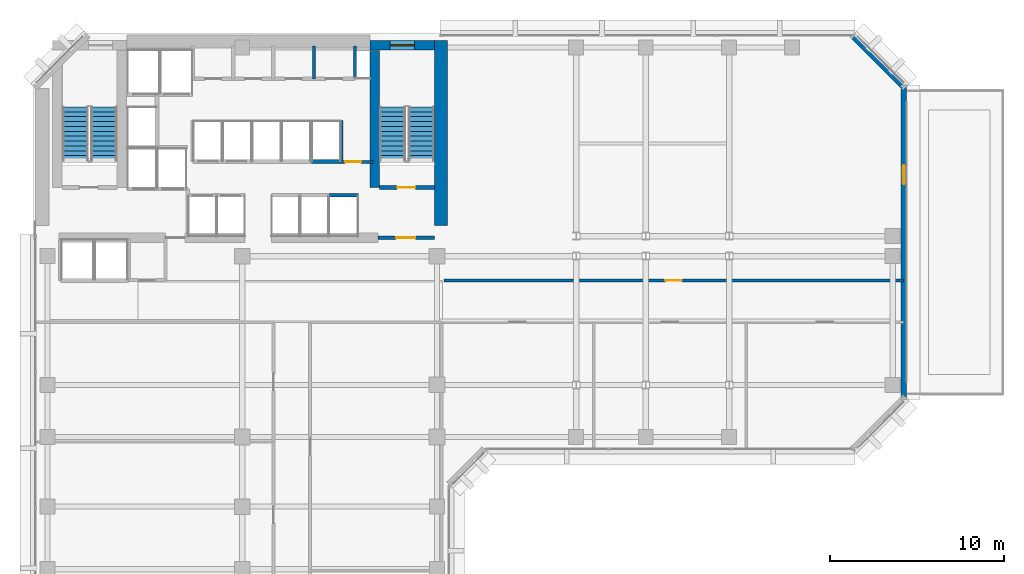
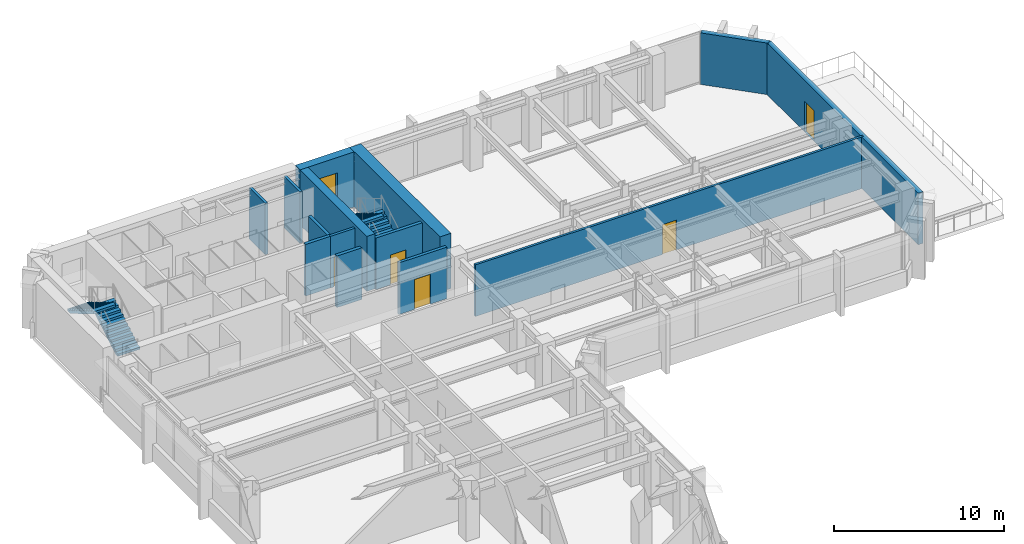
# One storey, part 8 of 12: 14 walls, 5 doors, 4 stair flights, 1 window, 6 openings, 2 elements without a shape of their own.
"""IFC4 building model written with IfcOpenShell, lengths in metres."""

from ifc_helpers import new_model, si_unit, direction, frame, frame_2d, origin, place, context, subcontext, project, spatial, polyline, rectangle, outline, extrude, material, layer, layer_set, type_object, element, fill, aggregate, save


model = new_model("IFC4")

# Units and contexts
model_context = context("Model", 3, precision=1e-05, world=origin(), true_north=direction((0.0, 1.0)))
body_context = subcontext(model_context, "Body", "Model", "MODEL_VIEW")
ifc_project = project(units=[si_unit("LENGTHUNIT", "METRE"), si_unit("AREAUNIT", "SQUARE_METRE"), si_unit("VOLUMEUNIT", "CUBIC_METRE"), si_unit("PLANEANGLEUNIT", "RADIAN"), si_unit("MASSUNIT", "GRAM", prefix="KILO")], contexts=[model_context])

# Site, building, storey
site_placement = place(None, origin())
site = spatial("IfcSite", under=ifc_project, at=site_placement, CompositionType="ELEMENT")
building_placement = place(site_placement, origin())
building = spatial("IfcBuilding", under=site, at=building_placement, Name="Kefirva Bronze Tower", CompositionType="ELEMENT")
storey_placement = place(building_placement, frame((0.0, 0.0, 110.550048828125)))
storey = spatial("IfcBuildingStorey", under=building, at=storey_placement, Name="L26", CompositionType="ELEMENT", Elevation=110.550048828125)

# Wall, opening, door
ifc_material_1 = material(Name="Gypsum fireboard shaftwall")
ifc_layer_1 = layer(ifc_material_1, 0.219970703125, Name="Gypsum fireboard shaftwall")
ifc_layer_set_1 = layer_set([ifc_layer_1], Name="Gypsum fireboard shaftwall")
wall_type_1 = type_object("IfcWallType", Name="Fire-Rated Shaft Enclosure Wall 220mm", PredefinedType="PARTITIONING", material=ifc_layer_set_1)
wall_1_placement = place(storey_placement, frame((19.89990234375, 37.14990234375, 0.0), z_axis=(0.0, 0.0, 1.0), x_axis=(1.0, 0.0, 0.0)))
wall_1 = element("IfcWall", 1, at=wall_1_placement, inside=storey, type_object=wall_type_1, Name="L26 Partition W-L26-ST2S", PredefinedType="PARTITIONING", context=body_context, shape_type="SweptSolid", body=[
    extrude(rectangle(XDim=3.150146484375, YDim=0.219970703125, at=frame_2d((1.5751953125, 0.0))), origin(), (0.0, 0.0, 1.0), 3.7099609375),
])
opening_1_placement = place(wall_1_placement, frame((2.050048828125, 0.0, 0.0), z_axis=(0.0, 0.0, 1.0), x_axis=(-1.0, 0.0, 0.0)))
opening_1 = element("IfcOpeningElement", 2, at=opening_1_placement, cuts=wall_1, Name="Opening L26-D003", PredefinedType="OPENING", context=body_context, shape_type="SweptSolid", body=[
    extrude(rectangle(XDim=1.050048828125, YDim=2.14990234375, at=frame_2d((0.52490234375, 1.074951171875))), frame((0.0, 0.1201171875, 0.0), z_axis=(0.0, -1.0, 0.0), x_axis=(1.0, 0.0, 0.0)), (0.0, 0.0, 1.0), 0.239990234375),
])
ifc_material_2 = material(Name="Painted galvanized steel", Category="steel")
door_type_1 = type_object("IfcDoorType", Name="Fire Stair Enclosure Door 1050x2150 FD90S", OperationType="NOTDEFINED", PredefinedType="DOOR", material=ifc_material_2)
door_1_placement = place(opening_1_placement, origin())
door_1 = element("IfcDoor", 3, at=door_1_placement, inside=storey, type_object=door_type_1, Name="Door L26-D003", OperationType="SINGLE_SWING_RIGHT", OverallHeight=2.14990234375, OverallWidth=1.050048828125, PredefinedType="DOOR", context=body_context, shape_type="SweptSolid", body=[
    extrude(rectangle(XDim=1.050048828125, YDim=2.14990234375, at=frame_2d((0.52490234375, 1.074951171875))), frame((0.0, 0.02490234375, 0.0), z_axis=(0.0, -1.0, 0.0), x_axis=(1.0, 0.0, 0.0)), (0.0, 0.0, 1.0), 0.050048828125),
])
fill(opening_1, door_1)

# Walls
wall_2_placement = place(storey_placement, frame((17.679931640625, 38.64990234375, 0.0), z_axis=(0.0, 0.0, 1.0), x_axis=(0.0, 1.0, 0.0)))
element("IfcWall", 4, at=wall_2_placement, inside=storey, type_object=wall_type_1, Name="L26 Partition W-L26-HP2E", PredefinedType="PARTITIONING", context=body_context, shape_type="SweptSolid", body=[
    extrude(rectangle(XDim=2.35009765625, YDim=0.199951171875, at=frame_2d((1.175048828125, 0.0))), origin(), (0.0, 0.0, 1.0), 3.7099609375),
])
wall_3_placement = place(storey_placement, frame((16.97998046875, 36.699951171875, 0.0), z_axis=(0.0, 0.0, 1.0), x_axis=(1.0, 0.0, 0.0)))
element("IfcWall", 5, at=wall_3_placement, inside=storey, type_object=wall_type_1, Name="L26 Partition W-L26-HPS", PredefinedType="PARTITIONING", context=body_context, shape_type="SweptSolid", body=[
    extrude(rectangle(XDim=1.699951171875, YDim=0.219970703125, at=frame_2d((0.85009765625, 0.0))), origin(), (0.0, 0.0, 1.0), 3.7099609375),
])
wall_4_placement = place(storey_placement, frame((15.97998046875, 38.64990234375, 0.0), z_axis=(0.0, 0.0, 1.0), x_axis=(1.0, 0.0, 0.0)))
element("IfcWall", 6, at=wall_4_placement, inside=storey, type_object=wall_type_1, Name="L26 Partition W-L26-HPN", PredefinedType="PARTITIONING", context=body_context, shape_type="SweptSolid", body=[
    extrude(rectangle(XDim=1.719970703125, YDim=0.219970703125, at=frame_2d((0.85986328125, 0.0))), origin(), (0.0, 0.0, 1.0), 3.7099609375),
])

# Wall, opening, door
ifc_material_3 = material(Name="Gypsum fireboard barrier")
ifc_layer_2 = layer(ifc_material_3, 0.199951171875, Name="Gypsum fireboard barrier")
ifc_layer_set_2 = layer_set([ifc_layer_2], Name="Gypsum fireboard barrier")
wall_type_2 = type_object("IfcWallType", Name="Firefighting Lobby Barrier Wall 200mm", PredefinedType="PARTITIONING", material=ifc_layer_set_2)
wall_5_placement = place(storey_placement, frame((19.800048828125, 34.25, 0.0), z_axis=(0.0, 0.0, 1.0), x_axis=(1.0, 0.0, 0.0)))
wall_5 = element("IfcWall", 7, at=wall_5_placement, inside=storey, type_object=wall_type_2, Name="L26 Partition W-L26-ST2F", PredefinedType="PARTITIONING", context=body_context, shape_type="SweptSolid", body=[
    extrude(rectangle(XDim=3.25, YDim=0.199951171875, at=frame_2d((1.625, 0.0))), origin(), (0.0, 0.0, 1.0), 3.7099609375),
])
opening_2_placement = place(wall_5_placement, frame((2.150146484375, 0.0, 0.0), z_axis=(0.0, 0.0, 1.0), x_axis=(-1.0, 0.0, 0.0)))
opening_2 = element("IfcOpeningElement", 8, at=opening_2_placement, cuts=wall_5, Name="Opening L26-D004", PredefinedType="OPENING", context=body_context, shape_type="SweptSolid", body=[
    extrude(rectangle(XDim=1.10009765625, YDim=2.14990234375, at=frame_2d((0.550048828125, 1.074951171875))), frame((0.0, 0.10986328125, 0.0), z_axis=(0.0, -1.0, 0.0), x_axis=(1.0, 0.0, 0.0)), (0.0, 0.0, 1.0), 0.219970703125),
])
door_type_2 = type_object("IfcDoorType", Name="Firefighting Lobby Smoke Door 1100x2150 FD60S", OperationType="NOTDEFINED", PredefinedType="DOOR", material=ifc_material_2)
door_2_placement = place(opening_2_placement, origin())
door_2 = element("IfcDoor", 9, at=door_2_placement, inside=storey, type_object=door_type_2, Name="Door L26-D004", OperationType="SINGLE_SWING_LEFT", OverallHeight=2.14990234375, OverallWidth=1.10009765625, PredefinedType="DOOR", context=body_context, shape_type="SweptSolid", body=[
    extrude(rectangle(XDim=1.10009765625, YDim=2.14990234375, at=frame_2d((0.550048828125, 1.074951171875))), frame((0.0, 0.02490234375, 0.0), z_axis=(0.0, -1.0, 0.0), x_axis=(1.0, 0.0, 0.0)), (0.0, 0.0, 1.0), 0.050048828125),
])
fill(opening_2, door_2)

wall_6_placement = place(storey_placement, frame((17.679931640625, 38.6201171875, 0.0), z_axis=(0.0, 0.0, 1.0), x_axis=(1.0, 0.0, 0.0)))
wall_6 = element("IfcWall", 10, at=wall_6_placement, inside=storey, type_object=wall_type_2, Name="L26 Partition W-L26-CPASS", PredefinedType="PARTITIONING", context=body_context, shape_type="SweptSolid", body=[
    extrude(rectangle(XDim=1.840087890625, YDim=0.179931640625, at=frame_2d((0.919921875, 0.0))), origin(), (0.0, 0.0, 1.0), 3.7099609375),
])
opening_3_placement = place(wall_6_placement, frame((0.239990234375, 0.0, 0.0)))
opening_3 = element("IfcOpeningElement", 11, at=opening_3_placement, cuts=wall_6, Name="Opening L26-D-CPAS", PredefinedType="OPENING", context=body_context, shape_type="SweptSolid", body=[
    extrude(rectangle(XDim=0.919921875, YDim=2.10009765625, at=frame_2d((0.4599609375, 1.050048828125))), frame((0.0, 0.10009765625, 0.0), z_axis=(0.0, -1.0, 0.0), x_axis=(1.0, 0.0, 0.0)), (0.0, 0.0, 1.0), 0.199951171875),
])
ifc_material_4 = material(Name="Moisture-resistant timber", Category="wood")
door_type_3 = type_object("IfcDoorType", Name="Accessible Sanitary & WC Door 920x2100", OperationType="NOTDEFINED", PredefinedType="DOOR", material=ifc_material_4)
door_3_placement = place(opening_3_placement, origin())
door_3 = element("IfcDoor", 12, at=door_3_placement, inside=storey, type_object=door_type_3, Name="Door L26-D-CPAS", OperationType="SINGLE_SWING_RIGHT", OverallHeight=2.10009765625, OverallWidth=0.919921875, PredefinedType="DOOR", context=body_context, shape_type="SweptSolid", body=[
    extrude(rectangle(XDim=0.919921875, YDim=2.10009765625, at=frame_2d((0.4599609375, 1.050048828125))), frame((0.0, 0.02490234375, 0.0), z_axis=(0.0, -1.0, 0.0), x_axis=(1.0, 0.0, 0.0)), (0.0, 0.0, 1.0), 0.050048828125),
])
fill(opening_3, door_3)

ifc_material_5 = material(Name="Precast concrete C40/50", Category="concrete")
ifc_layer_3 = layer(ifc_material_5, 0.320068359375, Name="Precast concrete C40/50")
ifc_layer_set_3 = layer_set([ifc_layer_3], Name="Precast concrete C40/50")
wall_type_3 = type_object("IfcWallType", Name="Precast Insulated Exterior Wall 320mm", PredefinedType="SOLIDWALL", material=ifc_layer_set_3)
wall_7_placement = place(storey_placement, frame((50.0400390625, 25.054931640625, 0.0), z_axis=(0.0, 0.0, 1.0), x_axis=(0.0, 1.0, 0.0)))
wall_7 = element("IfcWall", 13, at=wall_7_placement, inside=storey, type_object=wall_type_3, Name="L26 Exterior Facade Wall 4", PredefinedType="SOLIDWALL", context=body_context, shape_type="SweptSolid", body=[
    extrude(rectangle(XDim=17.89013671875, YDim=0.320068359375, at=frame_2d((8.945068359375, 0.0))), origin(), (0.0, 0.0, 1.0), 3.7099609375),
])
opening_4_placement = place(wall_7_placement, frame((13.380859375, 0.0, 0.0), z_axis=(0.0, 0.0, 1.0), x_axis=(-1.0, 0.0, 0.0)))
opening_4 = element("IfcOpeningElement", 14, at=opening_4_placement, cuts=wall_7, Name="Opening D-TR1", PredefinedType="OPENING", context=body_context, shape_type="SweptSolid", body=[
    extrude(rectangle(XDim=1.10009765625, YDim=2.199951171875, at=frame_2d((0.550048828125, 1.10009765625))), frame((0.0, 0.169921875, 0.0), z_axis=(0.0, -1.0, 0.0), x_axis=(1.0, 0.0, 0.0)), (0.0, 0.0, 1.0), 0.340087890625),
])
ifc_material_6 = material(Name="Bronze anodised aluminium", Category="aluminium")
door_type_4 = type_object("IfcDoorType", Name="Exterior Sky-Terrace Glazed Door 1100x2200", OperationType="NOTDEFINED", PredefinedType="DOOR", material=ifc_material_6)
door_4_placement = place(opening_4_placement, origin())
door_4 = element("IfcDoor", 15, at=door_4_placement, inside=storey, type_object=door_type_4, Name="L26 Sky-Garden Terrace Access Door", OperationType="SINGLE_SWING_LEFT", OverallHeight=2.199951171875, OverallWidth=1.10009765625, PredefinedType="DOOR", context=body_context, shape_type="SweptSolid", body=[
    extrude(rectangle(XDim=1.10009765625, YDim=2.199951171875, at=frame_2d((0.550048828125, 1.10009765625))), frame((0.0, 0.02490234375, 0.0), z_axis=(0.0, -1.0, 0.0), x_axis=(1.0, 0.0, 0.0)), (0.0, 0.0, 1.0), 0.050048828125),
])
fill(opening_4, door_4)

# Wall
wall_8_placement = place(storey_placement, frame((50.048095703125, 42.92578125, 0.0), z_axis=(0.0, 0.0, 1.0), x_axis=(-0.707136318428, 0.707077242712, 0.0)))
element("IfcWall", 16, at=wall_8_placement, inside=storey, type_object=wall_type_3, Name="L26 Exterior Facade Wall 5", PredefinedType="SOLIDWALL", context=body_context, shape_type="SweptSolid", body=[
    extrude(rectangle(XDim=4.132568359375, YDim=0.320068359375, at=frame_2d((2.06640625, 0.0))), origin(), (0.0, 0.0, 1.0), 3.7099609375),
])

# Wall, opening, door
ifc_material_7 = material(Name="Gypsum acoustic partition")
ifc_layer_4 = layer(ifc_material_7, 0.159912109375, Name="Gypsum acoustic partition")
ifc_layer_set_4 = layer_set([ifc_layer_4], Name="Gypsum acoustic partition")
wall_type_4 = type_object("IfcWallType", Name="Protected Corridor Partition 160mm", PredefinedType="PARTITIONING", material=ifc_layer_set_4)
wall_9_placement = place(storey_placement, frame((23.60009765625, 31.800048828125, 0.0), z_axis=(0.0, 0.0, 1.0), x_axis=(1.0, 0.0, 0.0)))
wall_9 = element("IfcWall", 17, at=wall_9_placement, inside=storey, type_object=wall_type_4, Name="L26 Partition W-L26-EWN", PredefinedType="PARTITIONING", context=body_context, shape_type="SweptSolid", body=[
    extrude(rectangle(XDim=26.409912109375, YDim=0.159912109375, at=frame_2d((13.205078125, 0.0))), origin(), (0.0, 0.0, 1.0), 3.7099609375),
])
opening_5_placement = place(wall_9_placement, frame((12.72998046875, 0.0, 0.0)))
opening_5 = element("IfcOpeningElement", 18, at=opening_5_placement, cuts=wall_9, Name="Opening L26-D-EN1", PredefinedType="OPENING", context=body_context, shape_type="SweptSolid", body=[
    extrude(rectangle(XDim=0.949951171875, YDim=2.14990234375, at=frame_2d((0.47509765625, 1.074951171875))), frame((0.0, 0.08984375, 0.0), z_axis=(0.0, -1.0, 0.0), x_axis=(1.0, 0.0, 0.0)), (0.0, 0.0, 1.0), 0.179931640625),
])
ifc_material_8 = material(Name="Acoustic hardwood oak", Category="wood")
door_type_5 = type_object("IfcDoorType", Name="Office & Meeting Room Door 950x2150", OperationType="NOTDEFINED", PredefinedType="DOOR", material=ifc_material_8)
door_5_placement = place(opening_5_placement, origin())
door_5 = element("IfcDoor", 19, at=door_5_placement, inside=storey, type_object=door_type_5, Name="Door L26-D-EN1", OperationType="SINGLE_SWING_LEFT", OverallHeight=2.14990234375, OverallWidth=0.949951171875, PredefinedType="DOOR", context=body_context, shape_type="SweptSolid", body=[
    extrude(rectangle(XDim=0.949951171875, YDim=2.14990234375, at=frame_2d((0.47509765625, 1.074951171875))), frame((0.0, 0.02490234375, 0.0), z_axis=(0.0, -1.0, 0.0), x_axis=(1.0, 0.0, 0.0)), (0.0, 0.0, 1.0), 0.050048828125),
])
fill(opening_5, door_5)

# Wall, opening, window
ifc_material_9 = material(Name="Concrete C50/60", Category="concrete")
ifc_layer_5 = layer(ifc_material_9, 0.550048828125, Name="Concrete C50/60")
ifc_layer_set_5 = layer_set([ifc_layer_5], Name="Concrete C50/60")
wall_type_5 = type_object("IfcWallType", Name="RC Rear Core Exterior Wall 550mm", PredefinedType="SHEAR", material=ifc_layer_set_5)
wall_10_placement = place(storey_placement, frame((19.35009765625, 45.320068359375, 0.0), z_axis=(0.0, 0.0, 1.0), x_axis=(1.0, 0.0, 0.0)))
wall_10 = element("IfcWall", 20, at=wall_10_placement, inside=storey, type_object=wall_type_5, Name="L26 Stair 2 North Shear Wall", PredefinedType="SHEAR", context=body_context, shape_type="SweptSolid", body=[
    extrude(rectangle(XDim=3.68994140625, YDim=0.550048828125, at=frame_2d((1.844970703125, 0.0))), origin(), (0.0, 0.0, 1.0), 3.9599609375),
])
opening_6_placement = place(wall_10_placement, frame((1.14990234375, 0.0, 1.050048828125)))
opening_6 = element("IfcOpeningElement", 21, at=opening_6_placement, cuts=wall_10, Name="Opening WN-03", PredefinedType="OPENING", context=body_context, shape_type="SweptSolid", body=[
    extrude(rectangle(XDim=1.39990234375, YDim=1.800048828125, at=frame_2d((0.699951171875, 0.89990234375))), frame((0.0, 0.28515625, 0.0), z_axis=(0.0, -1.0, 0.0), x_axis=(1.0, 0.0, 0.0)), (0.0, 0.0, 1.0), 0.570068359375),
])
ifc_material_10 = material(Name="Laminated low-E double glazing", Category="glass")
window_type = type_object("IfcWindowType", Name="Rear-Core Stair Daylight Window 1400x1800", PartitioningType="SINGLE_PANEL", PredefinedType="WINDOW", material=ifc_material_10)
window_placement = place(opening_6_placement, origin())
window = element("IfcWindow", 22, at=window_placement, inside=storey, type_object=window_type, Name="L26 Stair 2 Daylight Window", OverallHeight=1.800048828125, OverallWidth=1.39990234375, PartitioningType="SINGLE_PANEL", PredefinedType="WINDOW", context=body_context, shape_type="SweptSolid", body=[
    extrude(rectangle(XDim=1.39990234375, YDim=1.800048828125, at=frame_2d((0.699951171875, 0.89990234375))), frame((0.0, 0.030029296875, 0.0), z_axis=(0.0, -1.0, 0.0), x_axis=(1.0, 0.0, 0.0)), (0.0, 0.0, 1.0), 0.06005859375),
])
fill(opening_6, window)

# Walls
ifc_layer_6 = layer(ifc_material_9, 0.550048828125, Name="Concrete C50/60")
ifc_layer_set_6 = layer_set([ifc_layer_6], Name="Concrete C50/60")
wall_type_6 = type_object("IfcWallType", Name="RC Rear Core Interior Wall 550mm", PredefinedType="SHEAR", material=ifc_layer_set_6)
wall_11_placement = place(storey_placement, frame((19.6201171875, 37.14990234375, 0.0), z_axis=(0.0, 0.0, 1.0), x_axis=(0.0, 1.0, 0.0)))
element("IfcWall", 23, at=wall_11_placement, inside=storey, type_object=wall_type_6, Name="L26 Stair 2 West Shear Wall", PredefinedType="SHEAR", context=body_context, shape_type="SweptSolid", body=[
    extrude(rectangle(XDim=7.89013671875, YDim=0.550048828125, at=frame_2d((3.945068359375, 0.0))), origin(), (0.0, 0.0, 1.0), 3.9599609375),
])
ifc_material_11 = material(Name="Concrete C60/75", Category="concrete")
ifc_layer_7 = layer(ifc_material_11, 0.75, Name="Concrete C60/75")
ifc_layer_set_7 = layer_set([ifc_layer_7], Name="Concrete C60/75")
wall_type_7 = type_object("IfcWallType", Name="RC Rear Core Interior Wall 750mm", PredefinedType="SHEAR", material=ifc_layer_set_7)
wall_12_placement = place(storey_placement, frame((23.425048828125, 34.949951171875, 0.0), z_axis=(0.0, 0.0, 1.0), x_axis=(0.0, 1.0, 0.0)))
element("IfcWall", 24, at=wall_12_placement, inside=storey, type_object=wall_type_7, Name="L26 Rear Core East Shear Wall", PredefinedType="SHEAR", context=body_context, shape_type="SweptSolid", body=[
    extrude(rectangle(XDim=10.64013671875, YDim=0.75, at=frame_2d((5.320068359375, 0.0))), origin(), (0.0, 0.0, 1.0), 3.9599609375),
])
ifc_material_12 = material(Name="Moisture-resistant partition")
ifc_layer_8 = layer(ifc_material_12, 0.179931640625, Name="Moisture-resistant partition")
ifc_layer_set_8 = layer_set([ifc_layer_8], Name="Moisture-resistant partition")
wall_type_8 = type_object("IfcWallType", Name="Sanitary Plumbing Chase Wall 180mm", PredefinedType="PLUMBINGWALL", material=ifc_layer_set_8)
for number, where, z_axis, x_axis, name in (
    (25, (18.47998046875, 43.39990234375, 0.0), (0.0, 0.0, 1.0), (0.0, 1.0, 0.0), "L26 Partition W-L26-SVCE"),
    (26, (16.1201171875, 43.39990234375, 0.0), (0.0, 0.0, 1.0), (0.0, 1.0, 0.0), "L26 Partition W-L26-CSVD-3"),
):
    element("IfcWall", number, at=place(storey_placement, frame(where, z_axis=z_axis, x_axis=x_axis)), inside=storey, type_object=wall_type_8, Name=name, PredefinedType="PLUMBINGWALL", context=body_context, shape_type="SweptSolid", body=[
        extrude(rectangle(XDim=1.880126953125, YDim=0.179931640625, at=frame_2d((0.93994140625, 0.0))), origin(), (0.0, 0.0, 1.0), 3.7099609375),
    ])

# Stair, stair flights
ifc_material_13 = material(Name="Concrete C40/50", Category="concrete")
stair_type = type_object("IfcStairType", Name="RC Dogleg Protected Stair 24R", PredefinedType="HALF_TURN_STAIR", material=ifc_material_13)
stair_1_placement = place(storey_placement, origin())
stair_1 = element("IfcStair", 27, at=stair_1_placement, inside=storey, type_object=stair_type, Name="L26 Protected Exit Stair 1", PredefinedType="HALF_TURN_STAIR")
stair_flight_type = type_object("IfcStairFlightType", Name="RC Straight Stair Flight 24R", PredefinedType="STRAIGHT", material=ifc_material_13)
stair_flight_1_placement = place(storey_placement, frame((4.050048828125, 38.699951171875, 0.0), z_axis=(0.0, 0.0, 1.0), x_axis=(0.0, 1.0, 0.0)))
stair_flight_1 = element("IfcStairFlight", 28, at=stair_flight_1_placement, type_object=stair_flight_type, Name="ST-1 flight 1", NumberOfRisers=12, NumberOfTreads=11, PredefinedType="STRAIGHT", RiserHeight=0.165, TreadLength=0.28, context=body_context, shape_type="SweptSolid", body=[
    extrude(outline(polyline([(0.0, 0.0), (0.0, 0.1650390625), (0.280029296875, 0.1650390625), (0.280029296875, 0.330078125), (0.56005859375, 0.330078125), (0.56005859375, 0.4951171875), (0.840087890625, 0.4951171875), (0.840087890625, 0.659912109375), (1.1201171875, 0.659912109375), (1.1201171875, 0.824951171875), (1.39990234375, 0.824951171875), (1.39990234375, 0.989990234375), (1.679931640625, 0.989990234375), (1.679931640625, 1.155029296875), (1.9599609375, 1.155029296875), (1.9599609375, 1.320068359375), (2.239990234375, 1.320068359375), (2.239990234375, 1.485107421875), (2.52001953125, 1.485107421875), (2.52001953125, 1.64990234375), (2.800048828125, 1.64990234375), (2.800048828125, 1.81494140625), (3.080078125, 1.81494140625), (3.080078125, 1.97998046875), (3.080078125, 1.64111328125), (0.295166015625, 0.0), (0.0, 0.0)])), frame((0.0, 0.75, 0.0), z_axis=(0.0, -1.0, 0.0), x_axis=(1.0, 0.0, 0.0)), (0.0, 0.0, 1.0), 1.5),
])
stair_flight_2_placement = place(storey_placement, frame((2.39990234375, 41.780029296875, 1.97998046875), z_axis=(0.0, 0.0, 1.0), x_axis=(0.0, -1.0, 0.0)))
stair_flight_2 = element("IfcStairFlight", 29, at=stair_flight_2_placement, type_object=stair_flight_type, Name="ST-1 flight 2", NumberOfRisers=12, NumberOfTreads=11, PredefinedType="STRAIGHT", RiserHeight=0.165, TreadLength=0.28, context=body_context, shape_type="SweptSolid", body=[
    extrude(outline(polyline([(0.0, 0.0), (0.0, 0.1650390625), (0.280029296875, 0.1650390625), (0.280029296875, 0.330078125), (0.56005859375, 0.330078125), (0.56005859375, 0.4951171875), (0.840087890625, 0.4951171875), (0.840087890625, 0.659912109375), (1.1201171875, 0.659912109375), (1.1201171875, 0.824951171875), (1.39990234375, 0.824951171875), (1.39990234375, 0.989990234375), (1.679931640625, 0.989990234375), (1.679931640625, 1.155029296875), (1.9599609375, 1.155029296875), (1.9599609375, 1.320068359375), (2.239990234375, 1.320068359375), (2.239990234375, 1.485107421875), (2.52001953125, 1.485107421875), (2.52001953125, 1.64990234375), (2.800048828125, 1.64990234375), (2.800048828125, 1.81494140625), (3.080078125, 1.81494140625), (3.080078125, 1.97998046875), (3.080078125, 1.64111328125), (0.295166015625, 0.0), (0.0, 0.0)])), frame((0.0, 0.75, 0.0), z_axis=(0.0, -1.0, 0.0), x_axis=(1.0, 0.0, 0.0)), (0.0, 0.0, 1.0), 1.5),
])
aggregate(stair_1, [stair_flight_1, stair_flight_2])

stair_2_placement = place(storey_placement, origin())
stair_2 = element("IfcStair", 30, at=stair_2_placement, inside=storey, type_object=stair_type, Name="L26 Protected Exit Stair 2", PredefinedType="HALF_TURN_STAIR")
stair_flight_3_placement = place(storey_placement, frame((22.300048828125, 38.699951171875, 0.0), z_axis=(0.0, 0.0, 1.0), x_axis=(0.0, 1.0, 0.0)))
stair_flight_3 = element("IfcStairFlight", 31, at=stair_flight_3_placement, type_object=stair_flight_type, Name="ST-2 flight 1", NumberOfRisers=12, NumberOfTreads=11, PredefinedType="STRAIGHT", RiserHeight=0.165, TreadLength=0.28, context=body_context, shape_type="SweptSolid", body=[
    extrude(outline(polyline([(0.0, 0.0), (0.0, 0.1650390625), (0.280029296875, 0.1650390625), (0.280029296875, 0.330078125), (0.56005859375, 0.330078125), (0.56005859375, 0.4951171875), (0.840087890625, 0.4951171875), (0.840087890625, 0.659912109375), (1.1201171875, 0.659912109375), (1.1201171875, 0.824951171875), (1.39990234375, 0.824951171875), (1.39990234375, 0.989990234375), (1.679931640625, 0.989990234375), (1.679931640625, 1.155029296875), (1.9599609375, 1.155029296875), (1.9599609375, 1.320068359375), (2.239990234375, 1.320068359375), (2.239990234375, 1.485107421875), (2.52001953125, 1.485107421875), (2.52001953125, 1.64990234375), (2.800048828125, 1.64990234375), (2.800048828125, 1.81494140625), (3.080078125, 1.81494140625), (3.080078125, 1.97998046875), (3.080078125, 1.64111328125), (0.295166015625, 0.0), (0.0, 0.0)])), frame((0.0, 0.75, 0.0), z_axis=(0.0, -1.0, 0.0), x_axis=(1.0, 0.0, 0.0)), (0.0, 0.0, 1.0), 1.5),
])
stair_flight_4_placement = place(storey_placement, frame((20.64990234375, 41.780029296875, 1.97998046875), z_axis=(0.0, 0.0, 1.0), x_axis=(0.0, -1.0, 0.0)))
stair_flight_4 = element("IfcStairFlight", 32, at=stair_flight_4_placement, type_object=stair_flight_type, Name="ST-2 flight 2", NumberOfRisers=12, NumberOfTreads=11, PredefinedType="STRAIGHT", RiserHeight=0.165, TreadLength=0.28, context=body_context, shape_type="SweptSolid", body=[
    extrude(outline(polyline([(0.0, 0.0), (0.0, 0.1650390625), (0.280029296875, 0.1650390625), (0.280029296875, 0.330078125), (0.56005859375, 0.330078125), (0.56005859375, 0.4951171875), (0.840087890625, 0.4951171875), (0.840087890625, 0.659912109375), (1.1201171875, 0.659912109375), (1.1201171875, 0.824951171875), (1.39990234375, 0.824951171875), (1.39990234375, 0.989990234375), (1.679931640625, 0.989990234375), (1.679931640625, 1.155029296875), (1.9599609375, 1.155029296875), (1.9599609375, 1.320068359375), (2.239990234375, 1.320068359375), (2.239990234375, 1.485107421875), (2.52001953125, 1.485107421875), (2.52001953125, 1.64990234375), (2.800048828125, 1.64990234375), (2.800048828125, 1.81494140625), (3.080078125, 1.81494140625), (3.080078125, 1.97998046875), (3.080078125, 1.64111328125), (0.295166015625, 0.0), (0.0, 0.0)])), frame((0.0, 0.75, 0.0), z_axis=(0.0, -1.0, 0.0), x_axis=(1.0, 0.0, 0.0)), (0.0, 0.0, 1.0), 1.5),
])
aggregate(stair_2, [stair_flight_3, stair_flight_4])

save(model, "model.ifc")
